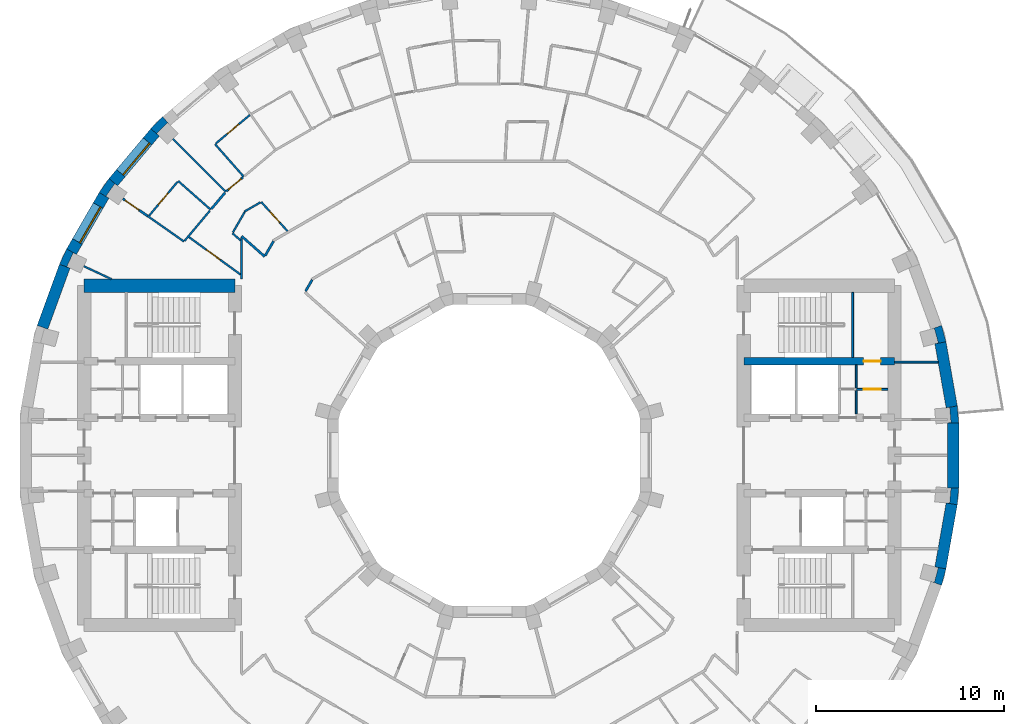
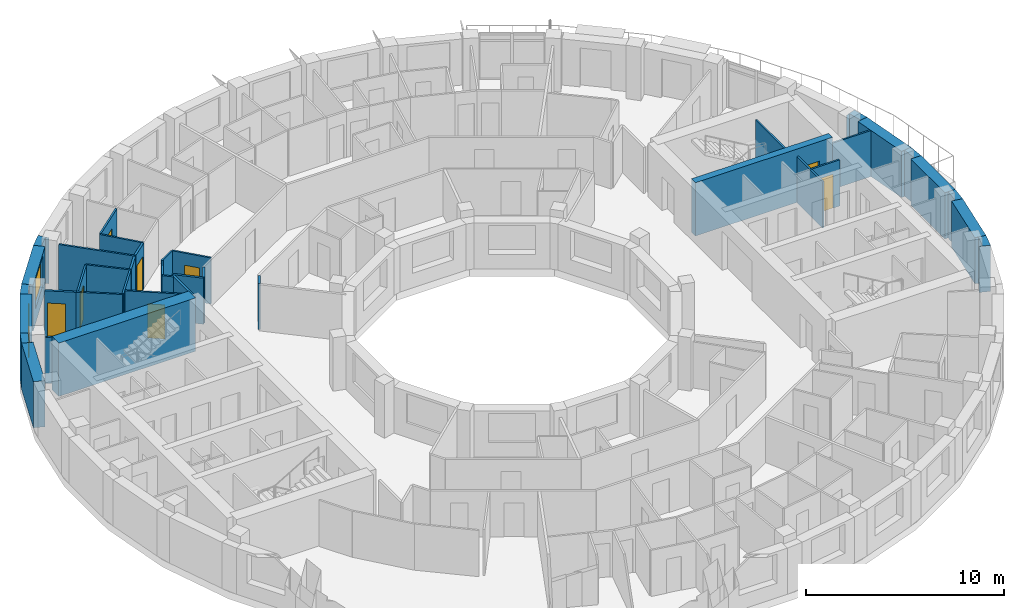
# One storey, part 10 of 15: 39 walls, 8 doors, 2 windows, 10 openings.
"""IFC4 building model written with IfcOpenShell, lengths in metres."""

from ifc_helpers import new_model, si_unit, direction, frame, frame_2d, origin, place, context, subcontext, project, spatial, polyline, rectangle, outline, extrude, material, layer, layer_set, type_object, element, fill, save


model = new_model("IFC4")

# Units and contexts
model_context = context("Model", 3, precision=1e-05, world=origin(), true_north=direction((0.0, 1.0)))
body_context = subcontext(model_context, "Body", "Model", "MODEL_VIEW")
ifc_project = project(units=[si_unit("LENGTHUNIT", "METRE"), si_unit("AREAUNIT", "SQUARE_METRE"), si_unit("VOLUMEUNIT", "CUBIC_METRE"), si_unit("PLANEANGLEUNIT", "RADIAN"), si_unit("MASSUNIT", "GRAM", prefix="KILO")], contexts=[model_context])

# Site, building, storey
site_placement = place(None, origin())
site = spatial("IfcSite", under=ifc_project, at=site_placement, CompositionType="ELEMENT")
building_placement = place(site_placement, origin())
building = spatial("IfcBuilding", under=site, at=building_placement, Name="Saqina Gate Tower", CompositionType="ELEMENT")
storey_placement = place(building_placement, frame((0.0, 0.0, 197.10009765625)))
storey = spatial("IfcBuildingStorey", under=building, at=storey_placement, Name="L56", CompositionType="ELEMENT", Elevation=197.10009765625)

# Walls
ifc_material_1 = material(Name="Brick masonry (buff)", Category="masonry")
wall_type_1 = type_object("IfcWallType", Name="BRICK PIER COPING BUFF", PredefinedType="SOLIDWALL", material=ifc_material_1)
wall_1_placement = place(storey_placement, origin())
element("IfcWall", 1, at=wall_1_placement, inside=storey, type_object=wall_type_1, Name="Pier cap L56 column 1", PredefinedType="SOLIDWALL", context=body_context, shape_type="SweptSolid", body=[
    extrude(outline(polyline([(24.90478515625, 1.724853515625), (24.825927734375, 2.6259765625), (24.235107421875, 2.521728515625), (24.421630859375, 2.5380859375), (24.491455078125, 1.7412109375), (24.304931640625, 1.724853515625), (24.90478515625, 1.724853515625)])), origin(), (0.0, 0.0, 1.0), 2.849853515625),
])
wall_2_placement = place(storey_placement, origin())
element("IfcWall", 2, at=wall_2_placement, inside=storey, type_object=wall_type_1, Name="Pier cap L56 column 2", PredefinedType="SOLIDWALL", context=body_context, shape_type="SweptSolid", body=[
    extrude(outline(polyline([(24.22705078125, 6.0234375), (23.992919921875, 6.897216796875), (23.428955078125, 6.69189453125), (23.610107421875, 6.740478515625), (23.81689453125, 5.967529296875), (23.635986328125, 5.919189453125), (24.22705078125, 6.0234375)])), origin(), (0.0, 0.0, 1.0), 2.849853515625),
])
wall_3_placement = place(storey_placement, origin())
element("IfcWall", 3, at=wall_3_placement, inside=storey, type_object=wall_type_1, Name="Pier cap L56 column 14", PredefinedType="SOLIDWALL", context=body_context, shape_type="SweptSolid", body=[
    extrude(outline(polyline([(-17.969482421875, 17.329833984375), (-17.510009765625, 16.944091796875), (-17.642333984375, 17.07666015625), (-17.07666015625, 17.642333984375), (-16.944091796875, 17.510009765625), (-17.329833984375, 17.969482421875), (-17.969482421875, 17.329833984375)])), origin(), (0.0, 0.0, 1.0), 2.849853515625),
])
wall_4_placement = place(storey_placement, origin())
element("IfcWall", 4, at=wall_4_placement, inside=storey, type_object=wall_type_1, Name="Pier cap L56 column 15", PredefinedType="SOLIDWALL", context=body_context, shape_type="SweptSolid", body=[
    extrude(outline(polyline([(-20.18701171875, 14.687255859375), (-20.705810546875, 13.9462890625), (-20.186279296875, 13.646240234375), (-20.339599609375, 13.753662109375), (-19.880859375, 14.408935546875), (-19.727294921875, 14.301513671875), (-20.18701171875, 14.687255859375)])), origin(), (0.0, 0.0, 1.0), 2.849853515625),
])
wall_5_placement = place(storey_placement, origin())
element("IfcWall", 5, at=wall_5_placement, inside=storey, type_object=wall_type_1, Name="Pier cap L56 column 16", PredefinedType="SOLIDWALL", context=body_context, shape_type="SweptSolid", body=[
    extrude(outline(polyline([(-22.81298828125, 10.138916015625), (-22.249267578125, 9.93359375), (-22.4189453125, 10.0126953125), (-22.080810546875, 10.73779296875), (-21.9111328125, 10.65869140625), (-22.4306640625, 10.958740234375), (-22.81298828125, 10.138916015625)])), origin(), (0.0, 0.0, 1.0), 2.849853515625),
])
wall_6_placement = place(storey_placement, origin())
element("IfcWall", 6, at=wall_6_placement, inside=storey, type_object=wall_type_1, Name="Pier cap L56 column 35", PredefinedType="SOLIDWALL", context=body_context, shape_type="SweptSolid", body=[
    extrude(outline(polyline([(24.22705078125, -6.0234375), (23.635986328125, -5.919189453125), (23.81689453125, -5.967529296875), (23.610107421875, -6.740478515625), (23.428955078125, -6.69189453125), (23.992919921875, -6.897216796875), (24.22705078125, -6.0234375)])), origin(), (0.0, 0.0, 1.0), 2.849853515625),
])
wall_7_placement = place(storey_placement, origin())
element("IfcWall", 7, at=wall_7_placement, inside=storey, type_object=wall_type_1, Name="Pier cap L56 column 36", PredefinedType="SOLIDWALL", context=body_context, shape_type="SweptSolid", body=[
    extrude(outline(polyline([(24.825927734375, -2.6259765625), (24.90478515625, -1.724853515625), (24.304931640625, -1.724853515625), (24.491455078125, -1.7412109375), (24.421630859375, -2.5380859375), (24.235107421875, -2.521728515625), (24.825927734375, -2.6259765625)])), origin(), (0.0, 0.0, 1.0), 2.849853515625),
])
ifc_material_2 = material(Name="Gypsum board on steel studs", Category="steel")
ifc_layer_1 = layer(ifc_material_2, 0.10009765625)
ifc_layer_set_1 = layer_set([ifc_layer_1], Name="CORE PARTITION")
wall_type_2 = type_object("IfcWallType", Name="CORE PARTITION", PredefinedType="PARTITIONING", material=ifc_layer_set_1)
wall_8_placement = place(storey_placement, frame((21.5, 4.949951171875, 0.0), z_axis=(0.0, 0.0, 1.0), x_axis=(1.0, 0.0, 0.0)))
element("IfcWall", 8, at=wall_8_placement, inside=storey, type_object=wall_type_2, Name="L56-CP-E01", PredefinedType="PARTITIONING", context=body_context, shape_type="SweptSolid", body=[
    extrude(rectangle(XDim=2.306884765625, YDim=0.10009765625, at=frame_2d((1.1533203125, 0.0))), origin(), (0.0, 0.0, 1.0), 2.849853515625),
])
wall_9_placement = place(storey_placement, frame((19.466552734375, 2.199951171875, 0.0), z_axis=(0.0, 0.0, 1.0), x_axis=(0.0, 1.0, 0.0)))
element("IfcWall", 9, at=wall_9_placement, inside=storey, type_object=wall_type_2, Name="L56-CP-E08", PredefinedType="PARTITIONING", context=body_context, shape_type="SweptSolid", body=[
    extrude(rectangle(XDim=2.60009765625, YDim=0.10009765625, at=frame_2d((1.300048828125, 0.0))), origin(), (0.0, 0.0, 1.0), 2.849853515625),
])

# Wall, opening, door
wall_10_placement = place(storey_placement, frame((19.466552734375, 3.5, 0.0), z_axis=(0.0, 0.0, 1.0), x_axis=(1.0, 0.0, 0.0)))
wall_10 = element("IfcWall", 10, at=wall_10_placement, inside=storey, type_object=wall_type_2, Name="L56-CP-E13", PredefinedType="PARTITIONING", context=body_context, shape_type="SweptSolid", body=[
    extrude(rectangle(XDim=1.683349609375, YDim=0.10009765625, at=frame_2d((0.841796875, 0.0))), origin(), (0.0, 0.0, 1.0), 2.849853515625),
])
opening_1_placement = place(wall_10_placement, frame((0.391845703125, 0.0, 0.0)))
opening_1 = element("IfcOpeningElement", 11, at=opening_1_placement, cuts=wall_10, Name="Opening G16-D100", PredefinedType="OPENING", context=body_context, shape_type="SweptSolid", body=[
    extrude(rectangle(XDim=0.89990234375, YDim=2.10009765625, at=frame_2d((0.449951171875, 1.050048828125))), frame((0.0, 0.06201171875, 0.0), z_axis=(0.0, -1.0, 0.0), x_axis=(1.0, 0.0, 0.0)), (0.0, 0.0, 1.0), 0.1240234375),
])
ifc_material_3 = material(Name="Steel-framed fire door leaf, EI 60", Category="steel")
door_type_1 = type_object("IfcDoorType", Name="SERVICE ROOM DOOR 900", OperationType="SINGLE_SWING_LEFT", PredefinedType="DOOR", material=ifc_material_3)
door_1_placement = place(opening_1_placement, origin())
door_1 = element("IfcDoor", 12, at=door_1_placement, inside=storey, type_object=door_type_1, Name="L56-CD-E11", OperationType="SINGLE_SWING_RIGHT", OverallHeight=2.10009765625, OverallWidth=0.89990234375, PredefinedType="DOOR", context=body_context, shape_type="SweptSolid", body=[
    extrude(rectangle(XDim=0.89990234375, YDim=2.10009765625, at=frame_2d((0.449951171875, 1.050048828125))), frame((0.0, 0.02490234375, 0.0), z_axis=(0.0, -1.0, 0.0), x_axis=(1.0, 0.0, 0.0)), (0.0, 0.0, 1.0), 0.050048828125),
])
fill(opening_1, door_1)

# Wall, opening, window
ifc_material_4 = material(Name="Brick masonry (buff)", Category="masonry")
ifc_layer_2 = layer(ifc_material_4, 0.60009765625)
ifc_layer_set_2 = layer_set([ifc_layer_2], Name="FW-BRICK-BUFF")
wall_type_3 = type_object("IfcWallType", Name="FW-BRICK-BUFF", PredefinedType="SOLIDWALL", material=ifc_layer_set_2)
wall_11_placement = place(storey_placement, frame((-17.73974609375, 17.136962890625, 0.0), z_axis=(0.0, 0.0, 1.0), x_axis=(-0.642770398358, -0.766058884809, 0.0)))
wall_11 = element("IfcWall", 13, at=wall_11_placement, inside=storey, type_object=wall_type_3, Name="Facade wall L56 facet 14", PredefinedType="SOLIDWALL", context=body_context, shape_type="SweptSolid", body=[
    extrude(rectangle(XDim=3.449462890625, YDim=0.60009765625, at=frame_2d((1.724609375, 0.0))), origin(), (0.0, 0.0, 1.0), 2.849853515625),
])
opening_2_placement = place(wall_11_placement, frame((0.625, 0.0, 0.89990234375)))
opening_2 = element("IfcOpeningElement", 14, at=opening_2_placement, cuts=wall_11, Name="Opening G16-W08", PredefinedType="OPENING", context=body_context, shape_type="SweptSolid", body=[
    extrude(rectangle(XDim=2.199951171875, YDim=1.800048828125, at=frame_2d((1.10009765625, 0.89990234375))), frame((0.0, 0.31201171875, 0.0), z_axis=(0.0, -1.0, 0.0), x_axis=(1.0, 0.0, 0.0)), (0.0, 0.0, 1.0), 0.6240234375),
])
ifc_material_5 = material(Name="Aluminium glazing", Category="aluminium")
window_type = type_object("IfcWindowType", Name="WN-C", PartitioningType="SINGLE_PANEL", PredefinedType="WINDOW", material=ifc_material_5)
window_1_placement = place(opening_2_placement, origin())
window_1 = element("IfcWindow", 15, at=window_1_placement, inside=storey, type_object=window_type, Name="Window L56 facet 14", OverallHeight=1.800048828125, OverallWidth=2.199951171875, PartitioningType="SINGLE_PANEL", PredefinedType="WINDOW", context=body_context, shape_type="SweptSolid", body=[
    extrude(rectangle(XDim=2.199951171875, YDim=1.800048828125, at=frame_2d((1.10009765625, 0.89990234375))), frame((0.0, 0.179931640625, 0.0), z_axis=(0.0, -1.0, 0.0), x_axis=(1.0, 0.0, 0.0)), (0.0, 0.0, 1.0), 0.06005859375),
])
fill(opening_2, window_1)

wall_12_placement = place(storey_placement, frame((-20.446044921875, 13.796142578125, 0.0), z_axis=(0.0, 0.0, 1.0), x_axis=(-0.499998129301, -0.86602648383, 0.0)))
wall_12 = element("IfcWall", 16, at=wall_12_placement, inside=storey, type_object=wall_type_3, Name="Facade wall L56 facet 15", PredefinedType="SOLIDWALL", context=body_context, shape_type="SweptSolid", body=[
    extrude(rectangle(XDim=3.44970703125, YDim=0.60009765625, at=frame_2d((1.724853515625, 0.0))), origin(), (0.0, 0.0, 1.0), 2.849853515625),
])
opening_3_placement = place(wall_12_placement, frame((0.625, 0.0, 0.89990234375)))
opening_3 = element("IfcOpeningElement", 17, at=opening_3_placement, cuts=wall_12, Name="Opening G16-W09", PredefinedType="OPENING", context=body_context, shape_type="SweptSolid", body=[
    extrude(rectangle(XDim=2.199951171875, YDim=1.800048828125, at=frame_2d((1.10009765625, 0.89990234375))), frame((0.0, 0.31201171875, 0.0), z_axis=(0.0, -1.0, 0.0), x_axis=(1.0, 0.0, 0.0)), (0.0, 0.0, 1.0), 0.6240234375),
])
window_2_placement = place(opening_3_placement, origin())
window_2 = element("IfcWindow", 18, at=window_2_placement, inside=storey, type_object=window_type, Name="Window L56 facet 15", OverallHeight=1.800048828125, OverallWidth=2.199951171875, PartitioningType="SINGLE_PANEL", PredefinedType="WINDOW", context=body_context, shape_type="SweptSolid", body=[
    extrude(rectangle(XDim=2.199951171875, YDim=1.800048828125, at=frame_2d((1.10009765625, 0.89990234375))), frame((0.0, 0.179931640625, 0.0), z_axis=(0.0, -1.0, 0.0), x_axis=(1.0, 0.0, 0.0)), (0.0, 0.0, 1.0), 0.06005859375),
])
fill(opening_3, window_2)

# Walls
ifc_material_6 = material(Name="Glazed ceramic tile", Category="ceramic")
ifc_layer_3 = layer(ifc_material_6, 0.60009765625)
ifc_layer_set_3 = layer_set([ifc_layer_3], Name="FW-TILE")
wall_type_4 = type_object("IfcWallType", Name="FW-TILE", PredefinedType="SOLIDWALL", material=ifc_layer_set_3)
for number, where, z_axis, x_axis, name in (
    (19, (24.530517578125, 2.573974609375, 0.0), (0.0, 0.0, 1.0), (-0.173607684551, 0.984814892183, 0.0), "Facade wall L56 facet 1"),
    (20, (23.931640625, -5.97119140625, 0.0), (0.0, 0.0, 1.0), (0.173607684551, 0.984814892183, 0.0), "Facade wall L56 facet 35"),
):
    element("IfcWall", number, at=place(storey_placement, frame(where, z_axis=z_axis, x_axis=x_axis)), inside=storey, type_object=wall_type_4, Name=name, PredefinedType="SOLIDWALL", context=body_context, shape_type="SweptSolid", body=[
        extrude(rectangle(XDim=3.44970703125, YDim=0.60009765625, at=frame_2d((1.724853515625, 0.0))), origin(), (0.0, 0.0, 1.0), 2.849853515625),
    ])
ifc_material_7 = material(Name="Glazed ceramic tile (white)", Category="ceramic")
ifc_layer_4 = layer(ifc_material_7, 0.60009765625)
ifc_layer_set_4 = layer_set([ifc_layer_4], Name="FW-TILE-WH")
wall_type_5 = type_object("IfcWallType", Name="FW-TILE-WH", PredefinedType="SOLIDWALL", material=ifc_layer_set_4)
for number, where, z_axis, x_axis, name in (
    (21, (-22.531005859375, 10.0361328125, 0.0), (0.0, 0.0, 1.0), (-0.342032843455, -0.93968799822, 0.0), "Facade wall L56 facet 16"),
    (22, (24.60498046875, -1.724853515625, 0.0), (0.0, 0.0, 1.0), (0.0, 1.0, 0.0), "Facade wall L56 facet 36"),
):
    element("IfcWall", number, at=place(storey_placement, frame(where, z_axis=z_axis, x_axis=x_axis)), inside=storey, type_object=wall_type_5, Name=name, PredefinedType="SOLIDWALL", context=body_context, shape_type="SweptSolid", body=[
        extrude(rectangle(XDim=3.44970703125, YDim=0.60009765625, at=frame_2d((1.724853515625, 0.0))), origin(), (0.0, 0.0, 1.0), 2.849853515625),
    ])
ifc_material_8 = material(Name="Gypsum board on steel studs, 100 mm", Category="steel")
ifc_layer_5 = layer(ifc_material_8, 0.10009765625)
ifc_layer_set_5 = layer_set([ifc_layer_5], Name="PARTITION 100")
wall_type_6 = type_object("IfcWallType", Name="PARTITION 100", PredefinedType="PARTITIONING", material=ifc_layer_set_5)
wall_13_placement = place(storey_placement, frame((-14.555908203125, 16.511962890625, 0.0), z_axis=(0.0, 0.0, 1.0), x_axis=(0.661368963491, -0.750060726962, 0.0)))
element("IfcWall", 23, at=wall_13_placement, inside=storey, type_object=wall_type_6, Name="PARTITION PW3-23", PredefinedType="PARTITIONING", context=body_context, shape_type="SweptSolid", body=[
    extrude(rectangle(XDim=2.30126953125, YDim=0.10009765625, at=frame_2d((1.150634765625, 0.0))), origin(), (0.0, 0.0, 1.0), 2.849853515625),
])

# Wall, opening, door
wall_14_placement = place(storey_placement, frame((-12.10791015625, 13.447021484375, 0.0), z_axis=(0.0, 0.0, 1.0), x_axis=(0.669048883613, -0.743218400833, 0.0)))
wall_14 = element("IfcWall", 24, at=wall_14_placement, inside=storey, type_object=wall_type_6, Name="PARTITION PW3-24", PredefinedType="PARTITIONING", context=body_context, shape_type="SweptSolid", body=[
    extrude(rectangle(XDim=2.083740234375, YDim=0.10009765625, at=frame_2d((1.0419921875, 0.0))), origin(), (0.0, 0.0, 1.0), 2.849853515625),
])
opening_4_placement = place(wall_14_placement, frame((0.673095703125, 0.0, 0.0)))
opening_4 = element("IfcOpeningElement", 25, at=opening_4_placement, cuts=wall_14, Name="Opening G16-D29", PredefinedType="OPENING", context=body_context, shape_type="SweptSolid", body=[
    extrude(rectangle(XDim=0.800048828125, YDim=2.10009765625, at=frame_2d((0.39990234375, 1.050048828125))), frame((0.0, 0.06201171875, 0.0), z_axis=(0.0, -1.0, 0.0), x_axis=(1.0, 0.0, 0.0)), (0.0, 0.0, 1.0), 0.1240234375),
])
ifc_material_9 = material(Name="Timber door leaf, 800 mm", Category="wood")
door_type_2 = type_object("IfcDoorType", Name="DOOR 800 TIMBER", OperationType="SINGLE_SWING_LEFT", PredefinedType="DOOR", material=ifc_material_9)
door_2_placement = place(opening_4_placement, origin())
door_2 = element("IfcDoor", 26, at=door_2_placement, inside=storey, type_object=door_type_2, Name="DOOR G16-D29", OperationType="SINGLE_SWING_RIGHT", OverallHeight=2.10009765625, OverallWidth=0.800048828125, PredefinedType="DOOR", context=body_context, shape_type="SweptSolid", body=[
    extrude(rectangle(XDim=0.800048828125, YDim=2.10009765625, at=frame_2d((0.39990234375, 1.050048828125))), frame((0.0, 0.02490234375, 0.0), z_axis=(0.0, -1.0, 0.0), x_axis=(1.0, 0.0, 0.0)), (0.0, 0.0, 1.0), 0.050048828125),
])
fill(opening_4, door_2)

# Walls
wall_15_placement = place(storey_placement, frame((-16.78662109375, 16.78662109375, 0.0), z_axis=(0.0, 0.0, 1.0), x_axis=(0.707106781187, -0.707106781187, 0.0)))
element("IfcWall", 27, at=wall_15_placement, inside=storey, type_object=wall_type_6, Name="PARTITION PW3-27", PredefinedType="PARTITIONING", context=body_context, shape_type="SweptSolid", body=[
    extrude(rectangle(XDim=3.959228515625, YDim=0.10009765625, at=frame_2d((1.9794921875, 0.0))), origin(), (0.0, 0.0, 1.0), 2.849853515625),
])
wall_16_placement = place(storey_placement, frame((-16.511962890625, 14.555908203125, 0.0), z_axis=(0.0, 0.0, 1.0), x_axis=(0.750060726962, -0.661368963491, 0.0)))
element("IfcWall", 28, at=wall_16_placement, inside=storey, type_object=wall_type_6, Name="PARTITION PW3-29", PredefinedType="PARTITIONING", context=body_context, shape_type="SweptSolid", body=[
    extrude(rectangle(XDim=2.30126953125, YDim=0.10009765625, at=frame_2d((1.150634765625, 0.0))), origin(), (0.0, 0.0, 1.0), 2.849853515625),
])
wall_17_placement = place(storey_placement, frame((-13.635009765625, 11.783935546875, 0.0), z_axis=(0.0, 0.0, 1.0), x_axis=(0.75671861177, -0.653740730413, 0.0)))
element("IfcWall", 29, at=wall_17_placement, inside=storey, type_object=wall_type_6, Name="PARTITION PW3-31", PredefinedType="PARTITIONING", context=body_context, shape_type="SweptSolid", body=[
    extrude(rectangle(XDim=0.578369140625, YDim=0.10009765625, at=frame_2d((0.2890625, 0.0))), origin(), (0.0, 0.0, 1.0), 2.849853515625),
])

# Wall, opening, door
wall_18_placement = place(storey_placement, frame((-15.939453125, 11.58056640625, 0.0), z_axis=(0.0, 0.0, 1.0), x_axis=(0.809057281934, -0.587729797228, 0.0)))
wall_18 = element("IfcWall", 30, at=wall_18_placement, inside=storey, type_object=wall_type_6, Name="PARTITION PW3-34", PredefinedType="PARTITIONING", context=body_context, shape_type="SweptSolid", body=[
    extrude(rectangle(XDim=3.38427734375, YDim=0.10009765625, at=frame_2d((1.692138671875, 0.0))), origin(), (0.0, 0.0, 1.0), 2.849853515625),
])
opening_5_placement = place(wall_18_placement, frame((1.148193359375, 0.0, 0.0)))
opening_5 = element("IfcOpeningElement", 31, at=opening_5_placement, cuts=wall_18, Name="Opening G16-D32", PredefinedType="OPENING", context=body_context, shape_type="SweptSolid", body=[
    extrude(rectangle(XDim=0.89990234375, YDim=2.10009765625, at=frame_2d((0.449951171875, 1.050048828125))), frame((0.0, 0.06201171875, 0.0), z_axis=(0.0, -1.0, 0.0), x_axis=(1.0, 0.0, 0.0)), (0.0, 0.0, 1.0), 0.1240234375),
])
ifc_material_10 = material(Name="Timber door leaf, 900 mm", Category="wood")
door_type_3 = type_object("IfcDoorType", Name="DOOR 900 TIMBER", OperationType="SINGLE_SWING_LEFT", PredefinedType="DOOR", material=ifc_material_10)
door_3_placement = place(opening_5_placement, origin())
door_3 = element("IfcDoor", 32, at=door_3_placement, inside=storey, type_object=door_type_3, Name="DOOR G16-D32", OperationType="SINGLE_SWING_LEFT", OverallHeight=2.10009765625, OverallWidth=0.89990234375, PredefinedType="DOOR", context=body_context, shape_type="SweptSolid", body=[
    extrude(rectangle(XDim=0.89990234375, YDim=2.10009765625, at=frame_2d((0.449951171875, 1.050048828125))), frame((0.0, 0.02490234375, 0.0), z_axis=(0.0, -1.0, 0.0), x_axis=(1.0, 0.0, 0.0)), (0.0, 0.0, 1.0), 0.050048828125),
])
fill(opening_5, door_3)

# Walls
wall_19_placement = place(storey_placement, frame((-18.135009765625, 12.69873046875, 0.0), z_axis=(0.0, 0.0, 1.0), x_axis=(0.818979032307, -0.573823443789, 0.0)))
element("IfcWall", 33, at=wall_19_placement, inside=storey, type_object=wall_type_6, Name="PARTITION PW3-35", PredefinedType="PARTITIONING", context=body_context, shape_type="SweptSolid", body=[
    extrude(rectangle(XDim=2.359130859375, YDim=0.10009765625, at=frame_2d((1.1796875, 0.0))), origin(), (0.0, 0.0, 1.0), 2.849853515625),
])
wall_20_placement = place(storey_placement, frame((-21.515625, 10.033203125, 0.0), z_axis=(0.0, 0.0, 1.0), x_axis=(0.906055596822, -0.423158664648, 0.0)))
element("IfcWall", 34, at=wall_20_placement, inside=storey, type_object=wall_type_6, Name="PARTITION PW3-41", PredefinedType="PARTITIONING", context=body_context, shape_type="SweptSolid", body=[
    extrude(rectangle(XDim=1.6142578125, YDim=0.10009765625, at=frame_2d((0.80712890625, 0.0))), origin(), (0.0, 0.0, 1.0), 2.849853515625),
])
wall_21_placement = place(storey_placement, frame((-13.007080078125, 12.92822265625, 0.0), z_axis=(0.0, 0.0, 1.0), x_axis=(0.86609095339, 0.499886447563, 0.0)))
element("IfcWall", 35, at=wall_21_placement, inside=storey, type_object=wall_type_6, Name="PARTITION PW3-72", PredefinedType="PARTITIONING", context=body_context, shape_type="SweptSolid", body=[
    extrude(rectangle(XDim=0.988037109375, YDim=0.10009765625, at=frame_2d((0.494140625, 0.0))), origin(), (0.0, 0.0, 1.0), 2.849853515625),
])

# Wall, opening, door
wall_22_placement = place(storey_placement, frame((-14.517578125, 16.544189453125, 0.0), z_axis=(0.0, 0.0, 1.0), x_axis=(0.766175122772, 0.642631839583, 0.0)))
wall_22 = element("IfcWall", 36, at=wall_22_placement, inside=storey, type_object=wall_type_6, Name="PARTITION PW3-78", PredefinedType="PARTITIONING", context=body_context, shape_type="SweptSolid", body=[
    extrude(rectangle(XDim=2.361572265625, YDim=0.10009765625, at=frame_2d((1.1806640625, 0.0))), origin(), (0.0, 0.0, 1.0), 2.849853515625),
])
opening_6_placement = place(wall_22_placement, frame((0.78076171875, 0.0, 0.0)))
opening_6 = element("IfcOpeningElement", 37, at=opening_6_placement, cuts=wall_22, Name="Opening G16-D28", PredefinedType="OPENING", context=body_context, shape_type="SweptSolid", body=[
    extrude(rectangle(XDim=0.800048828125, YDim=2.10009765625, at=frame_2d((0.39990234375, 1.050048828125))), frame((0.0, 0.06201171875, 0.0), z_axis=(0.0, -1.0, 0.0), x_axis=(1.0, 0.0, 0.0)), (0.0, 0.0, 1.0), 0.1240234375),
])
door_4_placement = place(opening_6_placement, origin())
door_4 = element("IfcDoor", 38, at=door_4_placement, inside=storey, type_object=door_type_2, Name="DOOR G16-D28", OperationType="SINGLE_SWING_LEFT", OverallHeight=2.10009765625, OverallWidth=0.800048828125, PredefinedType="DOOR", context=body_context, shape_type="SweptSolid", body=[
    extrude(rectangle(XDim=0.800048828125, YDim=2.10009765625, at=frame_2d((0.39990234375, 1.050048828125))), frame((0.0, 0.02490234375, 0.0), z_axis=(0.0, -1.0, 0.0), x_axis=(1.0, 0.0, 0.0)), (0.0, 0.0, 1.0), 0.050048828125),
])
fill(opening_6, door_4)

# Wall
wall_23_placement = place(storey_placement, frame((-16.169189453125, 11.38525390625, 0.0), z_axis=(0.0, 0.0, 1.0), x_axis=(0.642720670629, 0.766100606674, 0.0)))
element("IfcWall", 39, at=wall_23_placement, inside=storey, type_object=wall_type_6, Name="PARTITION PW3-83", PredefinedType="PARTITIONING", context=body_context, shape_type="SweptSolid", body=[
    extrude(rectangle(XDim=2.089599609375, YDim=0.10009765625, at=frame_2d((1.044921875, 0.0))), origin(), (0.0, 0.0, 1.0), 2.849853515625),
])

# Wall, opening, door
wall_24_placement = place(storey_placement, frame((-18.053955078125, 12.7177734375, 0.0), z_axis=(0.0, 0.0, 1.0), x_axis=(0.642675237257, 0.76613872074, 0.0)))
wall_24 = element("IfcWall", 40, at=wall_24_placement, inside=storey, type_object=wall_type_6, Name="PARTITION PW3-84", PredefinedType="PARTITIONING", context=body_context, shape_type="SweptSolid", body=[
    extrude(rectangle(XDim=2.34912109375, YDim=0.10009765625, at=frame_2d((1.174560546875, 0.0))), origin(), (0.0, 0.0, 1.0), 2.849853515625),
])
opening_7_placement = place(wall_24_placement, frame((0.768310546875, 0.0, 0.0)))
opening_7 = element("IfcOpeningElement", 41, at=opening_7_placement, cuts=wall_24, Name="Opening G16-D31", PredefinedType="OPENING", context=body_context, shape_type="SweptSolid", body=[
    extrude(rectangle(XDim=0.800048828125, YDim=2.10009765625, at=frame_2d((0.39990234375, 1.050048828125))), frame((0.0, 0.06201171875, 0.0), z_axis=(0.0, -1.0, 0.0), x_axis=(1.0, 0.0, 0.0)), (0.0, 0.0, 1.0), 0.1240234375),
])
door_5_placement = place(opening_7_placement, origin())
door_5 = element("IfcDoor", 42, at=door_5_placement, inside=storey, type_object=door_type_2, Name="DOOR G16-D31", OperationType="SINGLE_SWING_LEFT", OverallHeight=2.10009765625, OverallWidth=0.800048828125, PredefinedType="DOOR", context=body_context, shape_type="SweptSolid", body=[
    extrude(rectangle(XDim=0.800048828125, YDim=2.10009765625, at=frame_2d((0.39990234375, 1.050048828125))), frame((0.0, 0.02490234375, 0.0), z_axis=(0.0, -1.0, 0.0), x_axis=(1.0, 0.0, 0.0)), (0.0, 0.0, 1.0), 0.050048828125),
])
fill(opening_7, door_5)

# Walls
wall_25_placement = place(storey_placement, frame((-13.60986328125, 11.827392578125, 0.0), z_axis=(0.0, 0.0, 1.0), x_axis=(0.500407250634, 0.865790149813, 0.0)))
element("IfcWall", 43, at=wall_25_placement, inside=storey, type_object=wall_type_6, Name="PARTITION PW3-87", PredefinedType="PARTITIONING", context=body_context, shape_type="SweptSolid", body=[
    extrude(rectangle(XDim=1.2548828125, YDim=0.10009765625, at=frame_2d((0.62744140625, 0.0))), origin(), (0.0, 0.0, 1.0), 2.849853515625),
])
ifc_material_11 = material(Name="Gypsum board on steel studs, 125 mm, fire rated", Category="steel")
ifc_layer_6 = layer(ifc_material_11, 0.125)
ifc_layer_set_6 = layer_set([ifc_layer_6], Name="PARTITION EI 30 125")
wall_type_7 = type_object("IfcWallType", Name="PARTITION EI 30 125", PredefinedType="PARTITIONING", material=ifc_layer_set_6)
wall_26_placement = place(storey_placement, frame((-13.149658203125, 11.63427734375, 0.0), z_axis=(0.0, 0.0, 1.0), x_axis=(0.748945343294, -0.662631777655, 0.0)))
element("IfcWall", 44, at=wall_26_placement, inside=storey, type_object=wall_type_7, Name="PARTITION PW1-08", PredefinedType="PARTITIONING", context=body_context, shape_type="SweptSolid", body=[
    extrude(rectangle(XDim=1.6376953125, YDim=0.125, at=frame_2d((0.81884765625, 0.0))), origin(), (0.0, 0.0, 1.0), 2.849853515625),
])

# Wall, opening, door
wall_27_placement = place(storey_placement, frame((-19.446533203125, 13.616943359375, 0.0), z_axis=(0.0, 0.0, 1.0), x_axis=(0.819188933795, -0.57352374907, 0.0)))
wall_27 = element("IfcWall", 45, at=wall_27_placement, inside=storey, type_object=wall_type_7, Name="PARTITION PW1-11", PredefinedType="PARTITIONING", context=body_context, shape_type="SweptSolid", body=[
    extrude(rectangle(XDim=1.60107421875, YDim=0.125, at=frame_2d((0.800537109375, 0.0))), origin(), (0.0, 0.0, 1.0), 2.849853515625),
])
opening_8_placement = place(wall_27_placement, frame((0.146728515625, 0.0, 0.0)))
opening_8 = element("IfcOpeningElement", 46, at=opening_8_placement, cuts=wall_27, Name="Opening G16-D33", PredefinedType="OPENING", context=body_context, shape_type="SweptSolid", body=[
    extrude(rectangle(XDim=0.89990234375, YDim=2.10009765625, at=frame_2d((0.449951171875, 1.050048828125))), frame((0.0, 0.074462890625, 0.0), z_axis=(0.0, -1.0, 0.0), x_axis=(1.0, 0.0, 0.0)), (0.0, 0.0, 1.0), 0.14892578125),
])
ifc_material_12 = material(Name="Fire door leaf EI 30, 900 mm")
door_type_4 = type_object("IfcDoorType", Name="DOOR 900 EI 30", OperationType="SINGLE_SWING_LEFT", PredefinedType="DOOR", material=ifc_material_12)
door_6_placement = place(opening_8_placement, frame((0.89990234375, 0.0, 0.0), z_axis=(0.0, 0.0, 1.0), x_axis=(-1.0, 0.0, 0.0)))
door_6 = element("IfcDoor", 47, at=door_6_placement, inside=storey, type_object=door_type_4, Name="DOOR G16-D33", OperationType="SINGLE_SWING_RIGHT", OverallHeight=2.10009765625, OverallWidth=0.89990234375, PredefinedType="DOOR", context=body_context, shape_type="SweptSolid", body=[
    extrude(rectangle(XDim=0.89990234375, YDim=2.10009765625, at=frame_2d((0.449951171875, 1.050048828125))), frame((0.0, 0.02490234375, 0.0), z_axis=(0.0, -1.0, 0.0), x_axis=(1.0, 0.0, 0.0)), (0.0, 0.0, 1.0), 0.050048828125),
])
fill(opening_8, door_6)

wall_28_placement = place(storey_placement, frame((-13.94873046875, 14.01904296875, 0.0), z_axis=(0.0, 0.0, 1.0), x_axis=(0.766293239505, 0.642490989111, 0.0)))
wall_28 = element("IfcWall", 48, at=wall_28_placement, inside=storey, type_object=wall_type_7, Name="PARTITION PW1-38", PredefinedType="PARTITIONING", context=body_context, shape_type="SweptSolid", body=[
    extrude(rectangle(XDim=1.143798828125, YDim=0.125, at=frame_2d((0.57177734375, 0.0))), origin(), (0.0, 0.0, 1.0), 2.849853515625),
])
opening_9_placement = place(wall_28_placement, frame((0.121826171875, 0.0, 0.0)))
opening_9 = element("IfcOpeningElement", 49, at=opening_9_placement, cuts=wall_28, Name="Opening G16-D30", PredefinedType="OPENING", context=body_context, shape_type="SweptSolid", body=[
    extrude(rectangle(XDim=0.89990234375, YDim=2.10009765625, at=frame_2d((0.449951171875, 1.050048828125))), frame((0.0, 0.074462890625, 0.0), z_axis=(0.0, -1.0, 0.0), x_axis=(1.0, 0.0, 0.0)), (0.0, 0.0, 1.0), 0.14892578125),
])
door_7_placement = place(opening_9_placement, frame((0.89990234375, 0.0, 0.0), z_axis=(0.0, 0.0, 1.0), x_axis=(-1.0, 0.0, 0.0)))
door_7 = element("IfcDoor", 50, at=door_7_placement, inside=storey, type_object=door_type_4, Name="DOOR G16-D30", OperationType="SINGLE_SWING_RIGHT", OverallHeight=2.10009765625, OverallWidth=0.89990234375, PredefinedType="DOOR", context=body_context, shape_type="SweptSolid", body=[
    extrude(rectangle(XDim=0.89990234375, YDim=2.10009765625, at=frame_2d((0.449951171875, 1.050048828125))), frame((0.0, 0.02490234375, 0.0), z_axis=(0.0, -1.0, 0.0), x_axis=(1.0, 0.0, 0.0)), (0.0, 0.0, 1.0), 0.050048828125),
])
fill(opening_9, door_7)

# Walls
wall_29_placement = place(storey_placement, frame((-14.75390625, 13.072265625, 0.0), z_axis=(0.0, 0.0, 1.0), x_axis=(0.644208847233, 0.76484963303, 0.0)))
element("IfcWall", 51, at=wall_29_placement, inside=storey, type_object=wall_type_7, Name="PARTITION PW1-44", PredefinedType="PARTITIONING", context=body_context, shape_type="SweptSolid", body=[
    extrude(rectangle(XDim=1.13134765625, YDim=0.125, at=frame_2d((0.565673828125, 0.0))), origin(), (0.0, 0.0, 1.0), 2.849853515625),
])
wall_30_placement = place(storey_placement, frame((-9.751708984375, 8.709228515625, 0.0), z_axis=(0.0, 0.0, 1.0), x_axis=(0.500074377092, 0.865982457891, 0.0)))
element("IfcWall", 52, at=wall_30_placement, inside=storey, type_object=wall_type_7, Name="PARTITION PW1-48", PredefinedType="PARTITIONING", context=body_context, shape_type="SweptSolid", body=[
    extrude(rectangle(XDim=0.70068359375, YDim=0.125, at=frame_2d((0.350341796875, 0.0))), origin(), (0.0, 0.0, 1.0), 2.849853515625),
])
wall_31_placement = place(storey_placement, frame((-11.891845703125, 10.60302734375, 0.0), z_axis=(0.0, 0.0, 1.0), x_axis=(0.50016217861, 0.865931749671, 0.0)))
element("IfcWall", 53, at=wall_31_placement, inside=storey, type_object=wall_type_7, Name="PARTITION PW1-49", PredefinedType="PARTITIONING", context=body_context, shape_type="SweptSolid", body=[
    extrude(rectangle(XDim=0.881103515625, YDim=0.125, at=frame_2d((0.4404296875, 0.0))), origin(), (0.0, 0.0, 1.0), 2.849853515625),
])
wall_32_placement = place(storey_placement, frame((-13.14990234375, 9.35107421875, 0.0), z_axis=(0.0, 0.0, 1.0), x_axis=(0.0, 1.0, 0.0)))
element("IfcWall", 54, at=wall_32_placement, inside=storey, type_object=wall_type_7, Name="PARTITION PW1-53", PredefinedType="PARTITIONING", context=body_context, shape_type="SweptSolid", body=[
    extrude(rectangle(XDim=2.220458984375, YDim=0.125, at=frame_2d((1.1103515625, 0.0))), origin(), (0.0, 0.0, 1.0), 2.849853515625),
])
ifc_material_13 = material(Name="Autoclaved aerated concrete block", Category="concrete")
ifc_layer_7 = layer(ifc_material_13, 0.10009765625)
ifc_layer_set_7 = layer_set([ifc_layer_7], Name="STAIR ENCLOSURE WALL")
wall_type_8 = type_object("IfcWallType", Name="STAIR ENCLOSURE WALL", PredefinedType="PARTITIONING", material=ifc_layer_set_7)
wall_33_placement = place(storey_placement, frame((19.27001953125, 5.199951171875, 0.0), z_axis=(0.0, 0.0, 1.0), x_axis=(0.0, 1.0, 0.0)))
element("IfcWall", 55, at=wall_33_placement, inside=storey, type_object=wall_type_8, Name="L56-CP-E16", PredefinedType="PARTITIONING", context=body_context, shape_type="SweptSolid", body=[
    extrude(rectangle(XDim=3.449951171875, YDim=0.10009765625, at=frame_2d((1.72509765625, 0.0))), origin(), (0.0, 0.0, 1.0), 2.849853515625),
])

# Wall, opening, door
ifc_material_14 = material(Name="Concrete C60/75", Category="concrete")
ifc_layer_8 = layer(ifc_material_14, 0.39990234375)
ifc_layer_set_8 = layer_set([ifc_layer_8], Name="Concrete C60/75")
wall_type_9 = type_object("IfcWallType", Name="STR-CORE WALL-C-I", PredefinedType="SHEAR", material=ifc_layer_set_8)
wall_34_placement = place(storey_placement, frame((13.5, 5.0, 0.0), z_axis=(0.0, 0.0, 1.0), x_axis=(1.0, 0.0, 0.0)))
wall_34 = element("IfcWall", 56, at=wall_34_placement, inside=storey, type_object=wall_type_9, Name="CORE WALL L56 E-X1", PredefinedType="SHEAR", context=body_context, shape_type="SweptSolid", body=[
    extrude(rectangle(XDim=8.0, YDim=0.39990234375, at=frame_2d((4.0, 0.0))), origin(), (0.0, 0.0, 1.0), 3.2998046875),
])
opening_10_placement = place(wall_34_placement, frame((6.358154296875, 0.0, 0.0)))
opening_10 = element("IfcOpeningElement", 57, at=opening_10_placement, cuts=wall_34, Name="Opening G16-D101", PredefinedType="OPENING", context=body_context, shape_type="SweptSolid", body=[
    extrude(rectangle(XDim=0.89990234375, YDim=2.10009765625, at=frame_2d((0.449951171875, 1.050048828125))), frame((0.0, 0.2119140625, 0.0), z_axis=(0.0, -1.0, 0.0), x_axis=(1.0, 0.0, 0.0)), (0.0, 0.0, 1.0), 0.423828125),
])
door_8_placement = place(opening_10_placement, origin())
door_8 = element("IfcDoor", 58, at=door_8_placement, inside=storey, type_object=door_type_1, Name="L56-CD-E12", OperationType="SINGLE_SWING_RIGHT", OverallHeight=2.10009765625, OverallWidth=0.89990234375, PredefinedType="DOOR", context=body_context, shape_type="SweptSolid", body=[
    extrude(rectangle(XDim=0.89990234375, YDim=2.10009765625, at=frame_2d((0.449951171875, 1.050048828125))), frame((0.0, 0.02490234375, 0.0), z_axis=(0.0, -1.0, 0.0), x_axis=(1.0, 0.0, 0.0)), (0.0, 0.0, 1.0), 0.050048828125),
])
fill(opening_10, door_8)

# Wall
ifc_material_15 = material(Name="Concrete C60/75", Category="concrete")
ifc_layer_9 = layer(ifc_material_15, 0.699951171875)
ifc_layer_set_9 = layer_set([ifc_layer_9], Name="Concrete C60/75")
wall_type_10 = type_object("IfcWallType", Name="STR-CORE WALL-C-O", PredefinedType="SHEAR", material=ifc_layer_set_9)
wall_35_placement = place(storey_placement, frame((-13.5, 9.0, 0.0), z_axis=(0.0, 0.0, 1.0), x_axis=(-1.0, 0.0, 0.0)))
element("IfcWall", 59, at=wall_35_placement, inside=storey, type_object=wall_type_10, Name="CORE WALL L56 W-NE", PredefinedType="SHEAR", context=body_context, shape_type="SweptSolid", body=[
    extrude(rectangle(XDim=8.0, YDim=0.699951171875, at=frame_2d((4.0, 0.0))), origin(), (0.0, 0.0, 1.0), 3.2998046875),
])

save(model, "model.ifc")
